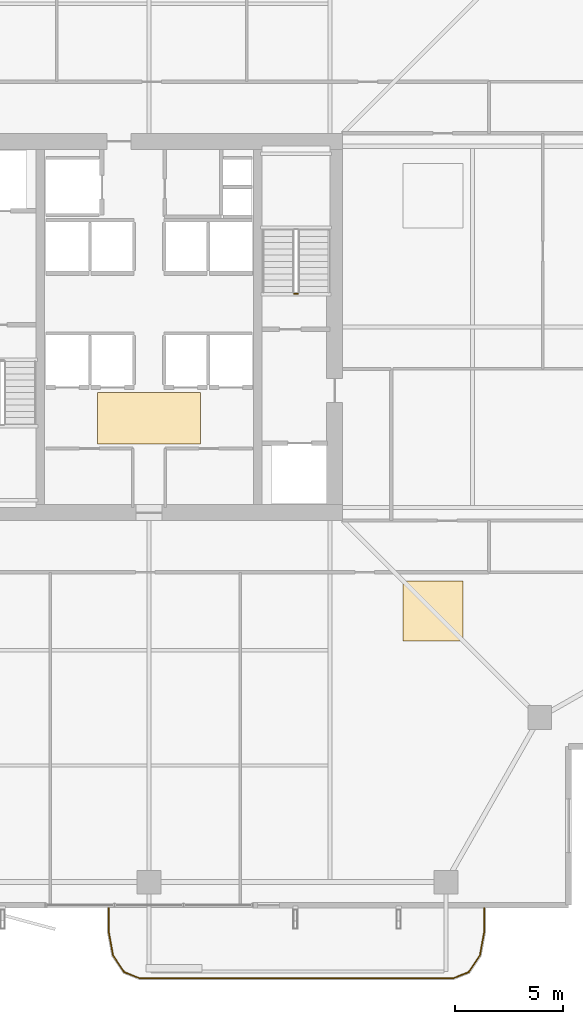
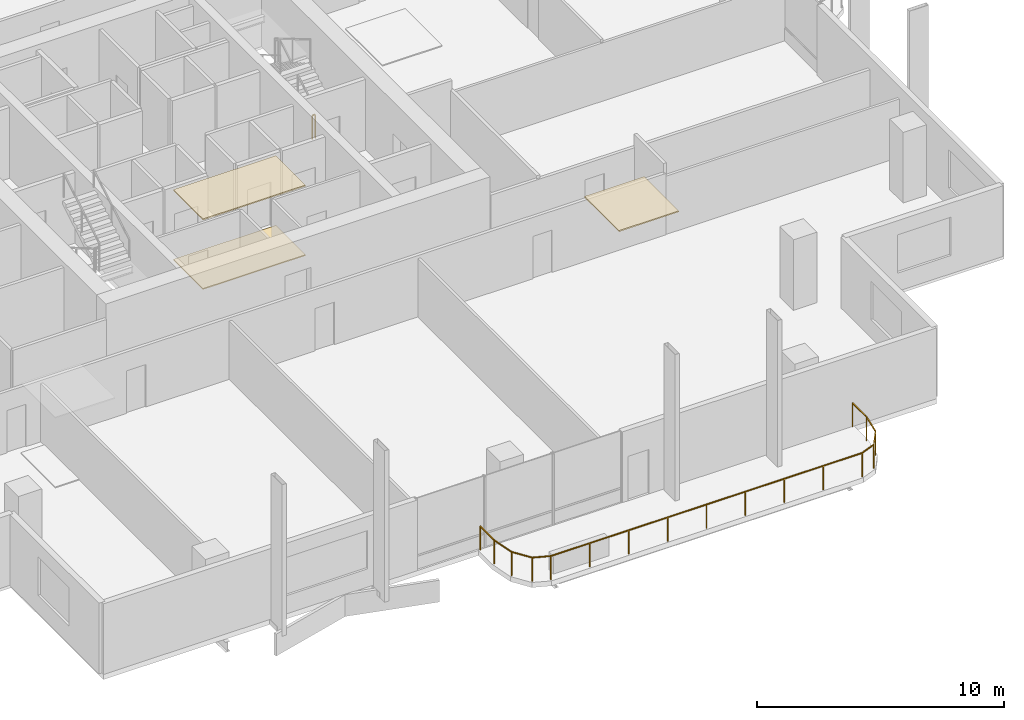
# One storey, part 22 of 24: 3 coverings, 2 railings.
"""IFC4 building model written with IfcOpenShell, lengths in metres."""

from ifc_helpers import new_model, si_unit, direction, frame, origin, origin_2d, place, context, subcontext, project, spatial, polyline, rectangle, outline, extrude, material, layer, layer_set, type_object, element, save


model = new_model("IFC4")

# Units and contexts
model_context = context("Model", 3, precision=1e-05, world=origin(), true_north=direction((0.0, 1.0)))
body_context = subcontext(model_context, "Body", "Model", "MODEL_VIEW")
ifc_project = project(units=[si_unit("LENGTHUNIT", "METRE"), si_unit("AREAUNIT", "SQUARE_METRE"), si_unit("VOLUMEUNIT", "CUBIC_METRE"), si_unit("PLANEANGLEUNIT", "RADIAN"), si_unit("MASSUNIT", "GRAM", prefix="KILO")], contexts=[model_context])

# Site, building, storey
site_placement = place(None, origin())
site = spatial("IfcSite", under=ifc_project, at=site_placement, CompositionType="ELEMENT")
building_placement = place(site_placement, origin())
building = spatial("IfcBuilding", under=site, at=building_placement, Name="Belovzor Exchange Tower", CompositionType="ELEMENT")
storey_placement = place(building_placement, frame((0.0, 0.0, 203.699951171875)))
storey = spatial("IfcBuildingStorey", under=building, at=storey_placement, Name="L50", CompositionType="ELEMENT", Elevation=203.699951171875)

# Railings
ifc_material_1 = material(Name="Stainless Steel and Laminated Safety Glass", Category="steel")
railing_type_1 = type_object("IfcRailingType", Name="Laminated Glass & Stainless Steel Balcony Balustrade 1200", PredefinedType="BALUSTRADE", material=ifc_material_1)
railing_1_placement = place(storey_placement, frame((26.929931640625, 1.7900390625, 0.0)))
element("IfcRailing", 1, at=railing_1_placement, inside=storey, type_object=railing_type_1, Name="GR-1 Balcony Balustrade L50 South", PredefinedType="BALUSTRADE", context=body_context, shape_type="SweptSolid", body=[
    extrude(rectangle(XDim=0.048095703125, YDim=0.048095703125, at=origin_2d()), frame((0.0, 0.0, 1.17578125), z_axis=(0.0, -1.0, 0.0), x_axis=(1.0, 0.0, 0.0)), (0.0, 0.0, 1.0), 1.133056640625),
    extrude(rectangle(XDim=0.048095703125, YDim=0.048095703125, at=origin_2d()), frame((0.0, -1.133056640625, 1.17578125), z_axis=(0.180122719713, -0.983644145941, 0.0), x_axis=(0.983644145941, 0.180122719713, 0.0)), (0.0, 0.0, 1.0), 1.09375),
    extrude(rectangle(XDim=0.048095703125, YDim=0.048095703125, at=origin_2d()), frame((0.197021484375, -2.208984375, 1.17578125), z_axis=(0.56294695933, -0.826493025367, 0.0), x_axis=(0.826493025367, 0.56294695933, 0.0)), (0.0, 0.0, 1.0), 0.932861328125),
    extrude(rectangle(XDim=0.048095703125, YDim=0.048095703125, at=origin_2d()), frame((0.72216796875, -2.97998046875, 1.17578125), z_axis=(0.930766990125, -0.365612923861, 0.0), x_axis=(0.365612923861, 0.930766990125, 0.0)), (0.0, 0.0, 1.0), 0.765869140625),
    extrude(rectangle(XDim=0.048095703125, YDim=0.048095703125, at=origin_2d()), frame((1.43505859375, -3.260009765625, 1.17578125), z_axis=(1.0, 0.0, 0.0), x_axis=(0.0, 1.0, 0.0)), (0.0, 0.0, 1.0), 14.570068359375),
    extrude(rectangle(XDim=0.048095703125, YDim=0.048095703125, at=origin_2d()), frame((16.005126953125, -3.260009765625, 1.17578125), z_axis=(0.930766990125, 0.365612923861, 0.0), x_axis=(-0.365612923861, 0.930766990125, 0.0)), (0.0, 0.0, 1.0), 0.765869140625),
    extrude(rectangle(XDim=0.048095703125, YDim=0.048095703125, at=origin_2d()), frame((16.718017578125, -2.97998046875, 1.17578125), z_axis=(0.56294695933, 0.826493025367, 0.0), x_axis=(-0.826493025367, 0.56294695933, 0.0)), (0.0, 0.0, 1.0), 0.932861328125),
    extrude(rectangle(XDim=0.048095703125, YDim=0.048095703125, at=origin_2d()), frame((17.2431640625, -2.208984375, 1.17578125), z_axis=(0.180122719713, 0.983644145941, 0.0), x_axis=(-0.983644145941, 0.180122719713, 0.0)), (0.0, 0.0, 1.0), 1.09375),
    extrude(rectangle(XDim=0.048095703125, YDim=0.048095703125, at=origin_2d()), frame((17.440185546875, -1.133056640625, 1.17578125), z_axis=(0.0, 1.0, 0.0), x_axis=(-1.0, 0.0, 0.0)), (0.0, 0.0, 1.0), 1.133056640625),
    extrude(rectangle(XDim=0.0419921875, YDim=0.0419921875, at=origin_2d()), origin(), (0.0, 0.0, 1.0), 1.15185546875),
    extrude(rectangle(XDim=0.0419921875, YDim=0.0419921875, at=origin_2d()), frame((0.0, -1.133056640625, 0.0)), (0.0, 0.0, 1.0), 1.15185546875),
    extrude(rectangle(XDim=0.0419921875, YDim=0.0419921875, at=origin_2d()), frame((0.197021484375, -2.208984375, 0.0)), (0.0, 0.0, 1.0), 1.15185546875),
    extrude(rectangle(XDim=0.0419921875, YDim=0.0419921875, at=origin_2d()), frame((0.72216796875, -2.97998046875, 0.0)), (0.0, 0.0, 1.0), 1.15185546875),
    extrude(rectangle(XDim=0.0419921875, YDim=0.0419921875, at=origin_2d()), frame((1.43505859375, -3.260009765625, 0.0)), (0.0, 0.0, 1.0), 1.15185546875),
    extrude(rectangle(XDim=0.0419921875, YDim=0.0419921875, at=origin_2d()), frame((3.25634765625, -3.260009765625, 0.0)), (0.0, 0.0, 1.0), 1.15185546875),
    extrude(rectangle(XDim=0.0419921875, YDim=0.0419921875, at=origin_2d()), frame((5.07763671875, -3.260009765625, 0.0)), (0.0, 0.0, 1.0), 1.15185546875),
    extrude(rectangle(XDim=0.0419921875, YDim=0.0419921875, at=origin_2d()), frame((6.89892578125, -3.260009765625, 0.0)), (0.0, 0.0, 1.0), 1.15185546875),
    extrude(rectangle(XDim=0.0419921875, YDim=0.0419921875, at=origin_2d()), frame((8.72021484375, -3.260009765625, 0.0)), (0.0, 0.0, 1.0), 1.15185546875),
    extrude(rectangle(XDim=0.0419921875, YDim=0.0419921875, at=origin_2d()), frame((10.541259765625, -3.260009765625, 0.0)), (0.0, 0.0, 1.0), 1.15185546875),
    extrude(rectangle(XDim=0.0419921875, YDim=0.0419921875, at=origin_2d()), frame((12.362548828125, -3.260009765625, 0.0)), (0.0, 0.0, 1.0), 1.15185546875),
    extrude(rectangle(XDim=0.0419921875, YDim=0.0419921875, at=origin_2d()), frame((14.183837890625, -3.260009765625, 0.0)), (0.0, 0.0, 1.0), 1.15185546875),
    extrude(rectangle(XDim=0.0419921875, YDim=0.0419921875, at=origin_2d()), frame((16.005126953125, -3.260009765625, 0.0)), (0.0, 0.0, 1.0), 1.15185546875),
    extrude(rectangle(XDim=0.0419921875, YDim=0.0419921875, at=origin_2d()), frame((16.718017578125, -2.97998046875, 0.0)), (0.0, 0.0, 1.0), 1.15185546875),
    extrude(rectangle(XDim=0.0419921875, YDim=0.0419921875, at=origin_2d()), frame((17.2431640625, -2.208984375, 0.0)), (0.0, 0.0, 1.0), 1.15185546875),
    extrude(rectangle(XDim=0.0419921875, YDim=0.0419921875, at=origin_2d()), frame((17.440185546875, -1.133056640625, 0.0)), (0.0, 0.0, 1.0), 1.15185546875),
    extrude(rectangle(XDim=0.0419921875, YDim=0.0419921875, at=origin_2d()), frame((17.440185546875, 0.0, 0.0)), (0.0, 0.0, 1.0), 1.15185546875),
])
ifc_material_2 = material(Name="Steel S355", Category="steel")
railing_type_2 = type_object("IfcRailingType", Name="Painted Steel Stairwell Guardrail 1200", PredefinedType="GUARDRAIL", material=ifc_material_2)
railing_2_placement = place(storey_placement, frame((35.699951171875, 30.35009765625, 0.0)))
element("IfcRailing", 2, at=railing_2_placement, inside=storey, type_object=railing_type_2, Name="L50 ST-2 stair guard 4", PredefinedType="GUARDRAIL", context=body_context, shape_type="SweptSolid", body=[
    extrude(rectangle(XDim=0.048095703125, YDim=0.048095703125, at=origin_2d()), frame((0.0, 0.0, 1.17578125), z_axis=(-1.0, 0.0, 0.0), x_axis=(0.0, -1.0, 0.0)), (0.0, 0.0, 1.0), 0.14990234375),
    extrude(rectangle(XDim=0.0419921875, YDim=0.0419921875, at=origin_2d()), origin(), (0.0, 0.0, 1.0), 1.15185546875),
    extrude(rectangle(XDim=0.0419921875, YDim=0.0419921875, at=origin_2d()), frame((-0.14990234375, 0.0, 0.0)), (0.0, 0.0, 1.0), 1.15185546875),
])

# Coverings
ifc_material_3 = material(Name="Perforated Powder-Coated Aluminium", Category="aluminium")
ifc_layer_1 = layer(ifc_material_3, 0.06005859375)
ifc_layer_set_1 = layer_set([ifc_layer_1], Name="Perforated Powder-Coated Aluminium")
covering_type_1 = type_object("IfcCoveringType", Name="Perforated Acoustic Metal Tile Suspended Ceiling 60", PredefinedType="CEILING", material=ifc_layer_set_1)
covering_1_placement = place(storey_placement, frame((0.0, 0.0, 3.43994140625)))
element("IfcCovering", 3, at=covering_1_placement, inside=storey, type_object=covering_type_1, Name="CLG-AC60 Suspended Ceiling CLG-L50-LOB", PredefinedType="CEILING", context=body_context, shape_type="SweptSolid", body=[
    extrude(outline(polyline([(26.39990234375, 23.35009765625), (31.199951171875, 23.35009765625), (31.199951171875, 25.75), (26.39990234375, 25.75), (26.39990234375, 23.35009765625)])), origin(), (0.0, 0.0, 1.0), 0.06005859375),
])
covering_2_placement = place(storey_placement, frame((0.0, 0.0, 3.43994140625)))
element("IfcCovering", 4, at=covering_2_placement, inside=storey, type_object=covering_type_1, Name="CLG-AC60 Suspended Ceiling CLG-L50-Z1", PredefinedType="CEILING", context=body_context, shape_type="SweptSolid", body=[
    extrude(outline(polyline([(40.60009765625, 14.199951171875), (43.39990234375, 14.199951171875), (43.39990234375, 17.0), (40.60009765625, 17.0), (40.60009765625, 14.199951171875)])), origin(), (0.0, 0.0, 1.0), 0.06005859375),
])
ifc_material_4 = material(Name="Polished Natural Granite Tile", Category="masonry")
ifc_layer_2 = layer(ifc_material_4, 0.050048828125)
ifc_layer_set_2 = layer_set([ifc_layer_2], Name="Polished Natural Granite Tile")
covering_type_2 = type_object("IfcCoveringType", Name="Polished Karelian Granite & Raised Access Floor Finish 50", PredefinedType="FLOORING", material=ifc_layer_set_2)
covering_3_placement = place(storey_placement, origin())
element("IfcCovering", 5, at=covering_3_placement, inside=storey, type_object=covering_type_2, Name="FLR-GR50 Floor Finish FLR-L50-LOB", PredefinedType="FLOORING", context=body_context, shape_type="SweptSolid", body=[
    extrude(outline(polyline([(26.39990234375, 23.35009765625), (31.199951171875, 23.35009765625), (31.199951171875, 25.75), (26.39990234375, 25.75), (26.39990234375, 23.35009765625)])), origin(), (0.0, 0.0, 1.0), 0.050048828125),
])

save(model, "model.ifc")
